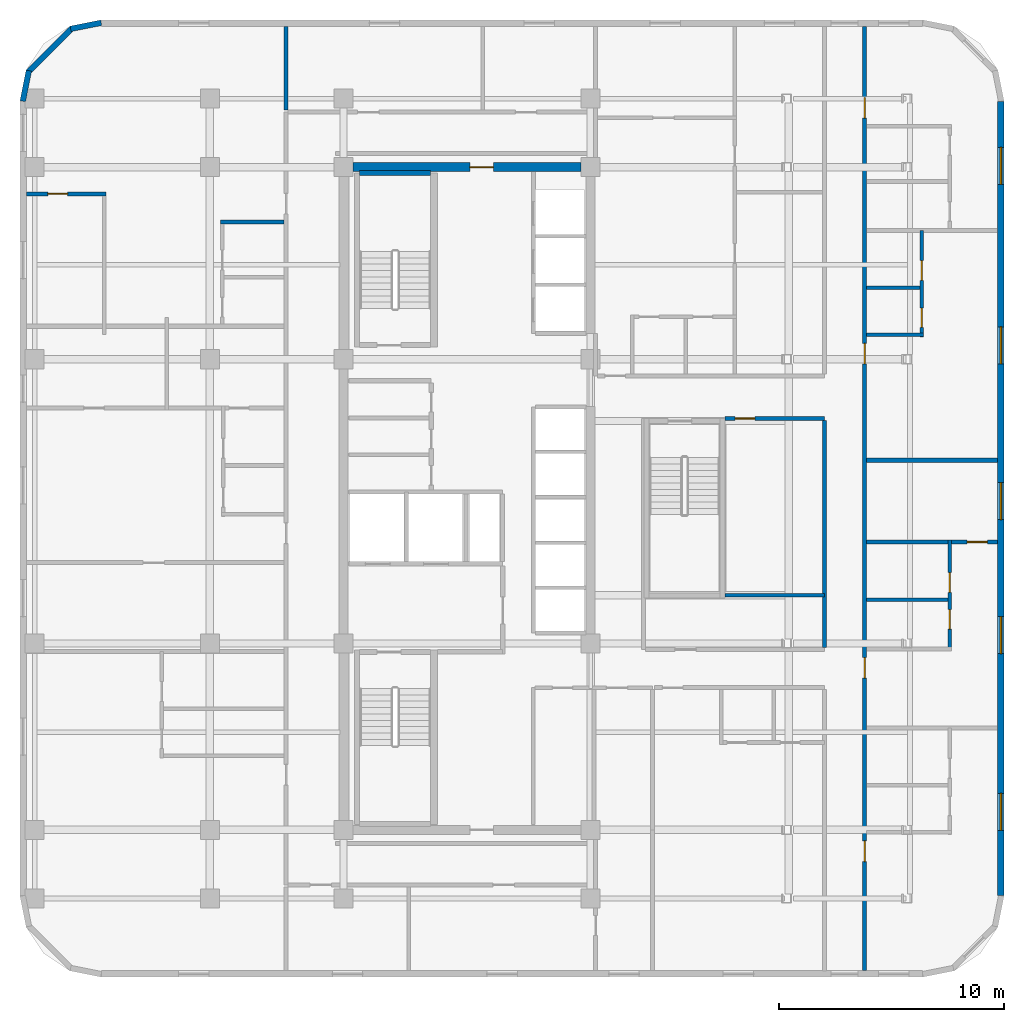
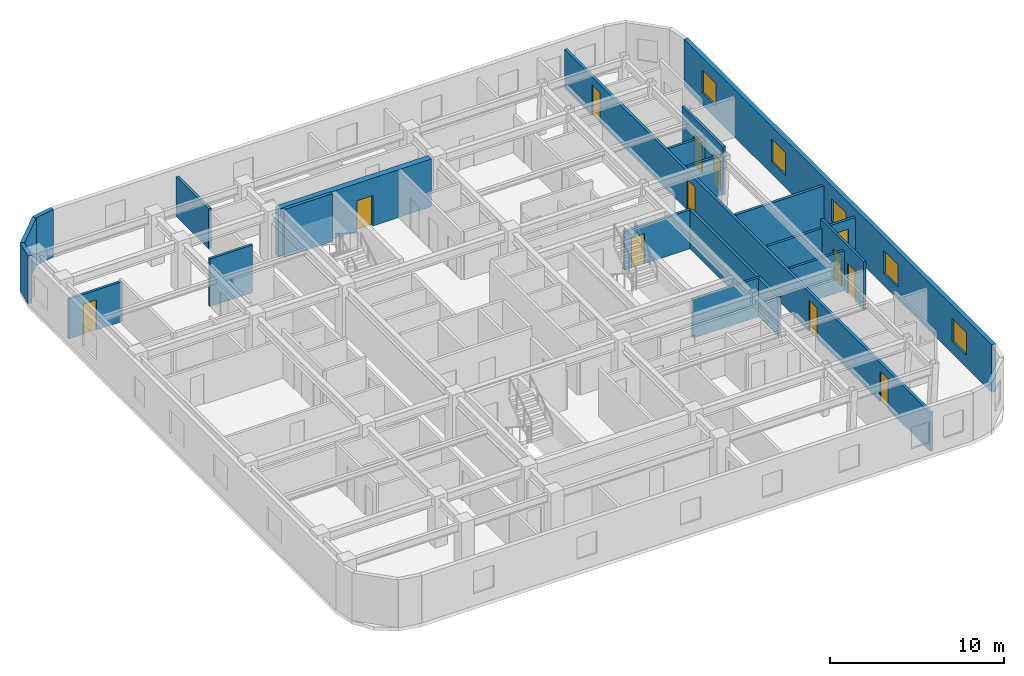
# One storey, part 6 of 9: 20 walls, 12 doors, 5 windows, 17 openings.
"""IFC4 building model written with IfcOpenShell, lengths in metres."""

from ifc_helpers import new_model, si_unit, direction, frame, frame_2d, origin, place, context, subcontext, project, spatial, rectangle, extrude, material, layer, layer_set, type_object, element, fill, save


model = new_model("IFC4")

# Units and contexts
model_context = context("Model", 3, precision=1e-05, world=origin(), true_north=direction((0.0, 1.0)))
body_context = subcontext(model_context, "Body", "Model", "MODEL_VIEW")
ifc_project = project(units=[si_unit("LENGTHUNIT", "METRE"), si_unit("AREAUNIT", "SQUARE_METRE"), si_unit("VOLUMEUNIT", "CUBIC_METRE"), si_unit("PLANEANGLEUNIT", "RADIAN"), si_unit("MASSUNIT", "GRAM", prefix="KILO")], contexts=[model_context])

# Site, building, storey
site_placement = place(None, origin())
site = spatial("IfcSite", under=ifc_project, at=site_placement, CompositionType="ELEMENT")
building_placement = place(site_placement, origin())
building = spatial("IfcBuilding", under=site, at=building_placement, Name="Ochreholt Gables", CompositionType="ELEMENT")
storey_placement = place(building_placement, frame((0.0, 0.0, 113.39990234375)))
storey = spatial("IfcBuildingStorey", under=building, at=storey_placement, Name="L29", CompositionType="ELEMENT", Elevation=113.39990234375)

# Wall, opening, door
ifc_material_1 = material(Name="Concrete 60 MPa", Category="concrete")
ifc_layer_1 = layer(ifc_material_1, 0.39990234375, Name="Concrete 60 MPa")
ifc_layer_set_1 = layer_set([ifc_layer_1], Name="Concrete 60 MPa")
wall_type_1 = type_object("IfcWallType", Name="WALL-CSW-400", PredefinedType="SHEAR", material=ifc_layer_set_1)
wall_1_placement = place(storey_placement, frame((24.625, 38.75, 0.0), z_axis=(0.0, 0.0, 1.0), x_axis=(1.0, 0.0, 0.0)))
wall_1 = element("IfcWall", 1, at=wall_1_placement, inside=storey, type_object=wall_type_1, Name="L29 Core North Shear Wall", PredefinedType="SHEAR", context=body_context, shape_type="SweptSolid", body=[
    extrude(rectangle(XDim=10.14990234375, YDim=0.39990234375, at=frame_2d((5.074951171875, 0.0))), origin(), (0.0, 0.0, 1.0), 3.35009765625),
])
opening_1_placement = place(wall_1_placement, frame((5.199951171875, 0.0, 0.0)))
opening_1 = element("IfcOpeningElement", 2, at=opening_1_placement, cuts=wall_1, Name="Opening D-FLB", PredefinedType="OPENING", context=body_context, shape_type="SweptSolid", body=[
    extrude(rectangle(XDim=1.050048828125, YDim=2.14990234375, at=frame_2d((0.52490234375, 1.074951171875))), frame((0.0, 0.2099609375, 0.0), z_axis=(0.0, -1.0, 0.0), x_axis=(1.0, 0.0, 0.0)), (0.0, 0.0, 1.0), 0.419921875),
])
ifc_material_2 = material(Name="Hollow Metal Steel", Category="steel")
door_type_1 = type_object("IfcDoorType", Name="DR-INT-FLB1050", OperationType="NOTDEFINED", PredefinedType="DOOR", material=ifc_material_2)
door_1_placement = place(opening_1_placement, frame((1.050048828125, 0.0, 0.0), z_axis=(0.0, 0.0, 1.0), x_axis=(-1.0, 0.0, 0.0)))
door_1 = element("IfcDoor", 3, at=door_1_placement, inside=storey, type_object=door_type_1, Name="L29 Door D-C2CRN-L29", OperationType="SINGLE_SWING_RIGHT", OverallHeight=2.14990234375, OverallWidth=1.050048828125, PredefinedType="DOOR", context=body_context, shape_type="SweptSolid", body=[
    extrude(rectangle(XDim=1.050048828125, YDim=2.14990234375, at=frame_2d((0.52490234375, 1.074951171875))), frame((0.0, 0.02490234375, 0.0), z_axis=(0.0, -1.0, 0.0), x_axis=(1.0, 0.0, 0.0)), (0.0, 0.0, 1.0), 0.050048828125),
])
fill(opening_1, door_1)

# Wall, openings, windows
ifc_material_3 = material(Name="Precast concrete 40 MPa", Category="concrete")
ifc_layer_2 = layer(ifc_material_3, 0.280029296875, Name="Precast concrete 40 MPa")
ifc_layer_set_2 = layer_set([ifc_layer_2], Name="Precast concrete 40 MPa")
wall_type_2 = type_object("IfcWallType", Name="WALL-EXT-280", PredefinedType="SOLIDWALL", material=ifc_layer_set_2)
wall_2_placement = place(storey_placement, frame((53.4599609375, 6.320068359375, 0.0), z_axis=(0.0, 0.0, 1.0), x_axis=(0.0, 1.0, 0.0)))
wall_2 = element("IfcWall", 4, at=wall_2_placement, inside=storey, type_object=wall_type_2, Name="L29 East Exterior Wall", PredefinedType="SOLIDWALL", context=body_context, shape_type="SweptSolid", body=[
    extrude(rectangle(XDim=35.35986328125, YDim=0.280029296875, at=frame_2d((17.679931640625, 0.0))), origin(), (0.0, 0.0, 1.0), 3.35009765625),
])
opening_2_placement = place(wall_2_placement, frame((2.903076171875, 0.0, 0.85009765625)))
opening_2 = element("IfcOpeningElement", 5, at=opening_2_placement, cuts=wall_2, Name="Opening WN-7", PredefinedType="OPENING", context=body_context, shape_type="SweptSolid", body=[
    extrude(rectangle(XDim=1.64990234375, YDim=1.60009765625, at=frame_2d((0.824951171875, 0.800048828125))), frame((0.0, 0.14990234375, 0.0), z_axis=(0.0, -1.0, 0.0), x_axis=(1.0, 0.0, 0.0)), (0.0, 0.0, 1.0), 0.300048828125),
])
opening_3_placement = place(wall_2_placement, frame((10.77490234375, 0.0, 0.85009765625)))
opening_3 = element("IfcOpeningElement", 6, at=opening_3_placement, cuts=wall_2, Name="Opening WN-7", PredefinedType="OPENING", context=body_context, shape_type="SweptSolid", body=[
    extrude(rectangle(XDim=1.64990234375, YDim=1.60009765625, at=frame_2d((0.824951171875, 0.800048828125))), frame((0.0, 0.14990234375, 0.0), z_axis=(0.0, -1.0, 0.0), x_axis=(1.0, 0.0, 0.0)), (0.0, 0.0, 1.0), 0.300048828125),
])
opening_4_placement = place(wall_2_placement, frame((16.739013671875, 0.0, 0.85009765625)))
opening_4 = element("IfcOpeningElement", 7, at=opening_4_placement, cuts=wall_2, Name="Opening WN-7", PredefinedType="OPENING", context=body_context, shape_type="SweptSolid", body=[
    extrude(rectangle(XDim=1.64990234375, YDim=1.60009765625, at=frame_2d((0.824951171875, 0.800048828125))), frame((0.0, 0.14990234375, 0.0), z_axis=(0.0, -1.0, 0.0), x_axis=(1.0, 0.0, 0.0)), (0.0, 0.0, 1.0), 0.300048828125),
])
opening_5_placement = place(wall_2_placement, frame((23.6708984375, 0.0, 0.85009765625)))
opening_5 = element("IfcOpeningElement", 8, at=opening_5_placement, cuts=wall_2, Name="Opening WN-7", PredefinedType="OPENING", context=body_context, shape_type="SweptSolid", body=[
    extrude(rectangle(XDim=1.64990234375, YDim=1.60009765625, at=frame_2d((0.824951171875, 0.800048828125))), frame((0.0, 0.14990234375, 0.0), z_axis=(0.0, -1.0, 0.0), x_axis=(1.0, 0.0, 0.0)), (0.0, 0.0, 1.0), 0.300048828125),
])
opening_6_placement = place(wall_2_placement, frame((31.658935546875, 0.0, 0.85009765625)))
opening_6 = element("IfcOpeningElement", 9, at=opening_6_placement, cuts=wall_2, Name="Opening WN-7", PredefinedType="OPENING", context=body_context, shape_type="SweptSolid", body=[
    extrude(rectangle(XDim=1.64990234375, YDim=1.60009765625, at=frame_2d((0.824951171875, 0.800048828125))), frame((0.0, 0.14990234375, 0.0), z_axis=(0.0, -1.0, 0.0), x_axis=(1.0, 0.0, 0.0)), (0.0, 0.0, 1.0), 0.300048828125),
])
ifc_material_4 = material(Name="Triple-Glazed Thermally Broken Aluminium Window", Category="aluminium")
window_type = type_object("IfcWindowType", Name="WIN-RES-1650", PartitioningType="SINGLE_PANEL", PredefinedType="WINDOW", material=ifc_material_4)
window_1_placement = place(opening_2_placement, origin())
window_1 = element("IfcWindow", 10, at=window_1_placement, inside=storey, type_object=window_type, Name="L29 Window W-EXT-E-L29-1", OverallHeight=1.60009765625, OverallWidth=1.64990234375, PartitioningType="SINGLE_PANEL", PredefinedType="WINDOW", context=body_context, shape_type="SweptSolid", body=[
    extrude(rectangle(XDim=1.64990234375, YDim=1.60009765625, at=frame_2d((0.824951171875, 0.800048828125))), frame((0.0, 0.030029296875, 0.0), z_axis=(0.0, -1.0, 0.0), x_axis=(1.0, 0.0, 0.0)), (0.0, 0.0, 1.0), 0.06005859375),
])
fill(opening_2, window_1)
window_2_placement = place(opening_3_placement, origin())
window_2 = element("IfcWindow", 11, at=window_2_placement, inside=storey, type_object=window_type, Name="L29 Window W-EXT-E-L29-2", OverallHeight=1.60009765625, OverallWidth=1.64990234375, PartitioningType="SINGLE_PANEL", PredefinedType="WINDOW", context=body_context, shape_type="SweptSolid", body=[
    extrude(rectangle(XDim=1.64990234375, YDim=1.60009765625, at=frame_2d((0.824951171875, 0.800048828125))), frame((0.0, 0.030029296875, 0.0), z_axis=(0.0, -1.0, 0.0), x_axis=(1.0, 0.0, 0.0)), (0.0, 0.0, 1.0), 0.06005859375),
])
fill(opening_3, window_2)
window_3_placement = place(opening_4_placement, origin())
window_3 = element("IfcWindow", 12, at=window_3_placement, inside=storey, type_object=window_type, Name="L29 Window W-EXT-E-L29-3", OverallHeight=1.60009765625, OverallWidth=1.64990234375, PartitioningType="SINGLE_PANEL", PredefinedType="WINDOW", context=body_context, shape_type="SweptSolid", body=[
    extrude(rectangle(XDim=1.64990234375, YDim=1.60009765625, at=frame_2d((0.824951171875, 0.800048828125))), frame((0.0, 0.030029296875, 0.0), z_axis=(0.0, -1.0, 0.0), x_axis=(1.0, 0.0, 0.0)), (0.0, 0.0, 1.0), 0.06005859375),
])
fill(opening_4, window_3)
window_4_placement = place(opening_5_placement, origin())
window_4 = element("IfcWindow", 13, at=window_4_placement, inside=storey, type_object=window_type, Name="L29 Window W-EXT-E-L29-4", OverallHeight=1.60009765625, OverallWidth=1.64990234375, PartitioningType="SINGLE_PANEL", PredefinedType="WINDOW", context=body_context, shape_type="SweptSolid", body=[
    extrude(rectangle(XDim=1.64990234375, YDim=1.60009765625, at=frame_2d((0.824951171875, 0.800048828125))), frame((0.0, 0.030029296875, 0.0), z_axis=(0.0, -1.0, 0.0), x_axis=(1.0, 0.0, 0.0)), (0.0, 0.0, 1.0), 0.06005859375),
])
fill(opening_5, window_4)
window_5_placement = place(opening_6_placement, origin())
window_5 = element("IfcWindow", 14, at=window_5_placement, inside=storey, type_object=window_type, Name="L29 Window W-EXT-E-L29-5", OverallHeight=1.60009765625, OverallWidth=1.64990234375, PartitioningType="SINGLE_PANEL", PredefinedType="WINDOW", context=body_context, shape_type="SweptSolid", body=[
    extrude(rectangle(XDim=1.64990234375, YDim=1.60009765625, at=frame_2d((0.824951171875, 0.800048828125))), frame((0.0, 0.030029296875, 0.0), z_axis=(0.0, -1.0, 0.0), x_axis=(1.0, 0.0, 0.0)), (0.0, 0.0, 1.0), 0.06005859375),
])
fill(opening_6, window_5)

# Walls
ifc_layer_3 = layer(ifc_material_3, 0.25, Name="Precast concrete 40 MPa")
ifc_layer_set_3 = layer_set([ifc_layer_3], Name="Precast concrete 40 MPa")
wall_type_3 = type_object("IfcWallType", Name="WALL-EXT-CNR", PredefinedType="SOLIDWALL", material=ifc_layer_set_3)
wall_3_placement = place(storey_placement, frame((13.41650390625, 45.17578125, 0.0), z_axis=(0.0, 0.0, 1.0), x_axis=(-0.980809899341, -0.19496651342, 0.0)))
element("IfcWall", 15, at=wall_3_placement, inside=storey, type_object=wall_type_3, Name="L29 Rounded Corner Wall NW-1", PredefinedType="SOLIDWALL", context=body_context, shape_type="SweptSolid", body=[
    extrude(rectangle(XDim=1.388671875, YDim=0.25, at=frame_2d((0.6943359375, 0.0))), origin(), (0.0, 0.0, 1.0), 3.35009765625),
])
wall_4_placement = place(storey_placement, frame((12.10498046875, 44.931884765625, 0.0), z_axis=(0.0, 0.0, 1.0), x_axis=(-0.707151344399, -0.707062215165, 0.0)))
element("IfcWall", 16, at=wall_4_placement, inside=storey, type_object=wall_type_3, Name="L29 Rounded Corner Wall NW-2", PredefinedType="SOLIDWALL", context=body_context, shape_type="SweptSolid", body=[
    extrude(rectangle(XDim=2.7392578125, YDim=0.25, at=frame_2d((1.36962890625, 0.0))), origin(), (0.0, 0.0, 1.0), 3.35009765625),
])
wall_5_placement = place(storey_placement, frame((10.195068359375, 43.04541015625, 0.0), z_axis=(0.0, 0.0, 1.0), x_axis=(-0.195000137217, -0.980803214965, 0.0)))
element("IfcWall", 17, at=wall_5_placement, inside=storey, type_object=wall_type_3, Name="L29 Rounded Corner Wall NW-3", PredefinedType="SOLIDWALL", context=body_context, shape_type="SweptSolid", body=[
    extrude(rectangle(XDim=1.388427734375, YDim=0.25, at=frame_2d((0.6943359375, 0.0))), origin(), (0.0, 0.0, 1.0), 3.35009765625),
])

# Wall, opening, door
ifc_material_5 = material(Name="Fire-Rated Gypsum Acoustic Partition", Category="gypsum")
ifc_layer_4 = layer(ifc_material_5, 0.179931640625, Name="Fire-Rated Gypsum Acoustic Partition")
ifc_layer_set_4 = layer_set([ifc_layer_4], Name="Fire-Rated Gypsum Acoustic Partition")
wall_type_4 = type_object("IfcWallType", Name="WALL-INT-CR180", PredefinedType="STANDARD", material=ifc_layer_set_4)
wall_6_placement = place(storey_placement, frame((41.179931640625, 27.56005859375, 0.0), z_axis=(0.0, 0.0, 1.0), x_axis=(1.0, 0.0, 0.0)))
wall_6 = element("IfcWall", 18, at=wall_6_placement, inside=storey, type_object=wall_type_4, Name="L29 Interior Wall WI-C2SN1-L29", PredefinedType="STANDARD", context=body_context, shape_type="SweptSolid", body=[
    extrude(rectangle(XDim=4.420166015625, YDim=0.179931640625, at=frame_2d((2.2099609375, 0.0))), origin(), (0.0, 0.0, 1.0), 2.72119140625),
])
opening_7_placement = place(wall_6_placement, frame((0.449951171875, 0.0, 0.0)))
opening_7 = element("IfcOpeningElement", 19, at=opening_7_placement, cuts=wall_6, Name="Opening D-GN2", PredefinedType="OPENING", context=body_context, shape_type="SweptSolid", body=[
    extrude(rectangle(XDim=0.8798828125, YDim=2.1201171875, at=frame_2d((0.43994140625, 1.06005859375))), frame((0.0, 0.099853515625, 0.0), z_axis=(0.0, -1.0, 0.0), x_axis=(1.0, 0.0, 0.0)), (0.0, 0.0, 1.0), 0.199951171875),
])
ifc_material_6 = material(Name="Engineered Oak Timber", Category="wood")
door_type_2 = type_object("IfcDoorType", Name="DR-INT-GEN880", OperationType="NOTDEFINED", PredefinedType="DOOR", material=ifc_material_6)
door_2_placement = place(opening_7_placement, origin())
door_2 = element("IfcDoor", 20, at=door_2_placement, inside=storey, type_object=door_type_2, Name="L29 Door D-C2FME-L29", OperationType="SINGLE_SWING_LEFT", OverallHeight=2.1201171875, OverallWidth=0.8798828125, PredefinedType="DOOR", context=body_context, shape_type="SweptSolid", body=[
    extrude(rectangle(XDim=0.8798828125, YDim=2.1201171875, at=frame_2d((0.43994140625, 1.06005859375))), frame((0.0, 0.02490234375, 0.0), z_axis=(0.0, -1.0, 0.0), x_axis=(1.0, 0.0, 0.0)), (0.0, 0.0, 1.0), 0.050048828125),
])
fill(opening_7, door_2)

# Wall, openings, doors
wall_7_placement = place(storey_placement, frame((47.39990234375, 2.97998046875, 0.0), z_axis=(0.0, 0.0, 1.0), x_axis=(0.0, 1.0, 0.0)))
wall_7 = element("IfcWall", 21, at=wall_7_placement, inside=storey, type_object=wall_type_4, Name="L29 Interior Wall WI-C2FEG-L29", PredefinedType="STANDARD", context=body_context, shape_type="SweptSolid", body=[
    extrude(rectangle(XDim=42.0400390625, YDim=0.179931640625, at=frame_2d((21.02001953125, 0.0))), origin(), (0.0, 0.0, 1.0), 2.72119140625),
])
opening_8_placement = place(wall_7_placement, frame((4.85595703125, 0.0, 0.0)))
opening_8 = element("IfcOpeningElement", 22, at=opening_8_placement, cuts=wall_7, Name="Opening D-UN1", PredefinedType="OPENING", context=body_context, shape_type="SweptSolid", body=[
    extrude(rectangle(XDim=0.919921875, YDim=2.14990234375, at=frame_2d((0.4599609375, 1.074951171875))), frame((0.0, 0.099853515625, 0.0), z_axis=(0.0, -1.0, 0.0), x_axis=(1.0, 0.0, 0.0)), (0.0, 0.0, 1.0), 0.199951171875),
])
opening_9_placement = place(wall_7_placement, frame((13.02001953125, 0.0, 0.0)))
opening_9 = element("IfcOpeningElement", 23, at=opening_9_placement, cuts=wall_7, Name="Opening D-UN1", PredefinedType="OPENING", context=body_context, shape_type="SweptSolid", body=[
    extrude(rectangle(XDim=0.919921875, YDim=2.14990234375, at=frame_2d((0.4599609375, 1.074951171875))), frame((0.0, 0.099853515625, 0.0), z_axis=(0.0, -1.0, 0.0), x_axis=(1.0, 0.0, 0.0)), (0.0, 0.0, 1.0), 0.199951171875),
])
opening_10_placement = place(wall_7_placement, frame((27.008056640625, 0.0, 0.0)))
opening_10 = element("IfcOpeningElement", 24, at=opening_10_placement, cuts=wall_7, Name="Opening D-UN1", PredefinedType="OPENING", context=body_context, shape_type="SweptSolid", body=[
    extrude(rectangle(XDim=0.919921875, YDim=2.14990234375, at=frame_2d((0.4599609375, 1.074951171875))), frame((0.0, 0.099853515625, 0.0), z_axis=(0.0, -1.0, 0.0), x_axis=(1.0, 0.0, 0.0)), (0.0, 0.0, 1.0), 0.199951171875),
])
opening_11_placement = place(wall_7_placement, frame((37.947998046875, 0.0, 0.0)))
opening_11 = element("IfcOpeningElement", 25, at=opening_11_placement, cuts=wall_7, Name="Opening D-UN1", PredefinedType="OPENING", context=body_context, shape_type="SweptSolid", body=[
    extrude(rectangle(XDim=0.919921875, YDim=2.14990234375, at=frame_2d((0.4599609375, 1.074951171875))), frame((0.0, 0.099853515625, 0.0), z_axis=(0.0, -1.0, 0.0), x_axis=(1.0, 0.0, 0.0)), (0.0, 0.0, 1.0), 0.199951171875),
])
door_type_3 = type_object("IfcDoorType", Name="DR-INT-UNT920", OperationType="NOTDEFINED", PredefinedType="DOOR", material=ifc_material_6)
door_3_placement = place(opening_8_placement, origin())
door_3 = element("IfcDoor", 26, at=door_3_placement, inside=storey, type_object=door_type_3, Name="L29 Door D-U-L29FE1-ENT", OperationType="SINGLE_SWING_RIGHT", OverallHeight=2.14990234375, OverallWidth=0.919921875, PredefinedType="DOOR", context=body_context, shape_type="SweptSolid", body=[
    extrude(rectangle(XDim=0.919921875, YDim=2.14990234375, at=frame_2d((0.4599609375, 1.074951171875))), frame((0.0, 0.02490234375, 0.0), z_axis=(0.0, -1.0, 0.0), x_axis=(1.0, 0.0, 0.0)), (0.0, 0.0, 1.0), 0.050048828125),
])
fill(opening_8, door_3)
door_4_placement = place(opening_9_placement, origin())
door_4 = element("IfcDoor", 27, at=door_4_placement, inside=storey, type_object=door_type_3, Name="L29 Door D-U-L29FE2-ENT", OperationType="SINGLE_SWING_LEFT", OverallHeight=2.14990234375, OverallWidth=0.919921875, PredefinedType="DOOR", context=body_context, shape_type="SweptSolid", body=[
    extrude(rectangle(XDim=0.919921875, YDim=2.14990234375, at=frame_2d((0.4599609375, 1.074951171875))), frame((0.0, 0.02490234375, 0.0), z_axis=(0.0, -1.0, 0.0), x_axis=(1.0, 0.0, 0.0)), (0.0, 0.0, 1.0), 0.050048828125),
])
fill(opening_9, door_4)
door_5_placement = place(opening_10_placement, origin())
door_5 = element("IfcDoor", 28, at=door_5_placement, inside=storey, type_object=door_type_3, Name="L29 Door D-U-L29FE3-ENT", OperationType="SINGLE_SWING_RIGHT", OverallHeight=2.14990234375, OverallWidth=0.919921875, PredefinedType="DOOR", context=body_context, shape_type="SweptSolid", body=[
    extrude(rectangle(XDim=0.919921875, YDim=2.14990234375, at=frame_2d((0.4599609375, 1.074951171875))), frame((0.0, 0.02490234375, 0.0), z_axis=(0.0, -1.0, 0.0), x_axis=(1.0, 0.0, 0.0)), (0.0, 0.0, 1.0), 0.050048828125),
])
fill(opening_10, door_5)
door_6_placement = place(opening_11_placement, origin())
door_6 = element("IfcDoor", 29, at=door_6_placement, inside=storey, type_object=door_type_3, Name="L29 Door D-U-L29FE4-ENT", OperationType="SINGLE_SWING_LEFT", OverallHeight=2.14990234375, OverallWidth=0.919921875, PredefinedType="DOOR", context=body_context, shape_type="SweptSolid", body=[
    extrude(rectangle(XDim=0.919921875, YDim=2.14990234375, at=frame_2d((0.4599609375, 1.074951171875))), frame((0.0, 0.02490234375, 0.0), z_axis=(0.0, -1.0, 0.0), x_axis=(1.0, 0.0, 0.0)), (0.0, 0.0, 1.0), 0.050048828125),
])
fill(opening_11, door_6)

# Walls
wall_8_placement = place(storey_placement, frame((45.60009765625, 17.3701171875, 0.0), z_axis=(0.0, 0.0, 1.0), x_axis=(0.0, 1.0, 0.0)))
element("IfcWall", 30, at=wall_8_placement, inside=storey, type_object=wall_type_4, Name="L29 Interior Wall WI-C2FEGW2-L29", PredefinedType="STANDARD", context=body_context, shape_type="SweptSolid", body=[
    extrude(rectangle(XDim=10.099853515625, YDim=0.179931640625, at=frame_2d((5.0498046875, 0.0))), origin(), (0.0, 0.0, 1.0), 2.72119140625),
])
ifc_material_7 = material(Name="Double-Stud Acoustic Demising Wall", Category="gypsum")
ifc_layer_5 = layer(ifc_material_7, 0.179931640625, Name="Double-Stud Acoustic Demising Wall")
ifc_layer_set_5 = layer_set([ifc_layer_5], Name="Double-Stud Acoustic Demising Wall")
wall_type_5 = type_object("IfcWallType", Name="WALL-INT-DM180", PredefinedType="PARTITIONING", material=ifc_layer_set_5)
wall_9_placement = place(storey_placement, frame((21.64990234375, 41.2900390625, 0.0), z_axis=(0.0, 0.0, 1.0), x_axis=(0.0, 1.0, 0.0)))
element("IfcWall", 31, at=wall_9_placement, inside=storey, type_object=wall_type_5, Name="L29 Interior Wall WI-C2WWN-L29", PredefinedType="PARTITIONING", context=body_context, shape_type="SweptSolid", body=[
    extrude(rectangle(XDim=3.72998046875, YDim=0.179931640625, at=frame_2d((1.864990234375, 0.0))), origin(), (0.0, 0.0, 1.0), 2.799072265625),
])
wall_10_placement = place(storey_placement, frame((47.489990234375, 25.7041015625, 0.0), z_axis=(0.0, 0.0, 1.0), x_axis=(1.0, 0.0, 0.0)))
element("IfcWall", 32, at=wall_10_placement, inside=storey, type_object=wall_type_5, Name="L29 Interior Wall WI-C2FED3-L29", PredefinedType="PARTITIONING", context=body_context, shape_type="SweptSolid", body=[
    extrude(rectangle(XDim=5.830078125, YDim=0.179931640625, at=frame_2d((2.9150390625, 0.0))), origin(), (0.0, 0.0, 1.0), 2.799072265625),
])

# Wall, openings, doors
ifc_material_8 = material(Name="Moisture-Resistant Plumbing Chase Wall", Category="gypsum")
ifc_layer_6 = layer(ifc_material_8, 0.159912109375, Name="Moisture-Resistant Plumbing Chase Wall")
ifc_layer_set_6 = layer_set([ifc_layer_6], Name="Moisture-Resistant Plumbing Chase Wall")
wall_type_6 = type_object("IfcWallType", Name="WALL-INT-PL160", PredefinedType="PLUMBINGWALL", material=ifc_layer_set_6)
wall_11_placement = place(storey_placement, frame((51.185302734375, 17.2099609375, 0.0), z_axis=(0.0, 0.0, 1.0), x_axis=(0.0, 1.0, 0.0)))
wall_11 = element("IfcWall", 33, at=wall_11_placement, inside=storey, type_object=wall_type_6, Name="L29 Interior Wall WU-L29FE2-WX", PredefinedType="PLUMBINGWALL", context=body_context, shape_type="SweptSolid", body=[
    extrude(rectangle(XDim=4.944091796875, YDim=0.159912109375, at=frame_2d((2.47216796875, 0.0))), origin(), (0.0, 0.0, 1.0), 3.35009765625),
])
opening_12_placement = place(wall_11_placement, frame((0.97998046875, 0.0, 0.0)))
opening_12 = element("IfcOpeningElement", 34, at=opening_12_placement, cuts=wall_11, Name="Opening D-BT1", PredefinedType="OPENING", context=body_context, shape_type="SweptSolid", body=[
    extrude(rectangle(XDim=0.860107421875, YDim=2.1201171875, at=frame_2d((0.43017578125, 1.06005859375))), frame((0.0, 0.08984375, 0.0), z_axis=(0.0, -1.0, 0.0), x_axis=(1.0, 0.0, 0.0)), (0.0, 0.0, 1.0), 0.179931640625),
])
opening_13_placement = place(wall_11_placement, frame((2.611328125, 0.0, 0.0)))
opening_13 = element("IfcOpeningElement", 35, at=opening_13_placement, cuts=wall_11, Name="Opening D-GN2", PredefinedType="OPENING", context=body_context, shape_type="SweptSolid", body=[
    extrude(rectangle(XDim=0.8798828125, YDim=2.1201171875, at=frame_2d((0.43994140625, 1.06005859375))), frame((0.0, 0.08984375, 0.0), z_axis=(0.0, -1.0, 0.0), x_axis=(1.0, 0.0, 0.0)), (0.0, 0.0, 1.0), 0.179931640625),
])
door_type_4 = type_object("IfcDoorType", Name="DR-INT-BTH860", OperationType="NOTDEFINED", PredefinedType="DOOR", material=ifc_material_6)
door_7_placement = place(opening_12_placement, origin())
door_7 = element("IfcDoor", 36, at=door_7_placement, inside=storey, type_object=door_type_4, Name="L29 Door D-U-L29FE2-BTH", OperationType="SINGLE_SWING_RIGHT", OverallHeight=2.1201171875, OverallWidth=0.860107421875, PredefinedType="DOOR", context=body_context, shape_type="SweptSolid", body=[
    extrude(rectangle(XDim=0.860107421875, YDim=2.1201171875, at=frame_2d((0.43017578125, 1.06005859375))), frame((0.0, 0.02490234375, 0.0), z_axis=(0.0, -1.0, 0.0), x_axis=(1.0, 0.0, 0.0)), (0.0, 0.0, 1.0), 0.050048828125),
])
fill(opening_12, door_7)
door_8_placement = place(opening_13_placement, origin())
door_8 = element("IfcDoor", 37, at=door_8_placement, inside=storey, type_object=door_type_2, Name="L29 Door D-U-L29FE2-KIT", OperationType="SINGLE_SWING_LEFT", OverallHeight=2.1201171875, OverallWidth=0.8798828125, PredefinedType="DOOR", context=body_context, shape_type="SweptSolid", body=[
    extrude(rectangle(XDim=0.8798828125, YDim=2.1201171875, at=frame_2d((0.43994140625, 1.06005859375))), frame((0.0, 0.02490234375, 0.0), z_axis=(0.0, -1.0, 0.0), x_axis=(1.0, 0.0, 0.0)), (0.0, 0.0, 1.0), 0.050048828125),
])
fill(opening_13, door_8)

# Walls
wall_12_placement = place(storey_placement, frame((47.489990234375, 19.491455078125, 0.0), z_axis=(0.0, 0.0, 1.0), x_axis=(1.0, 0.0, 0.0)))
element("IfcWall", 38, at=wall_12_placement, inside=storey, type_object=wall_type_6, Name="L29 Interior Wall WU-L29FE2-WK", PredefinedType="PLUMBINGWALL", context=body_context, shape_type="SweptSolid", body=[
    extrude(rectangle(XDim=3.615234375, YDim=0.159912109375, at=frame_2d((1.8076171875, 0.0))), origin(), (0.0, 0.0, 1.0), 2.799072265625),
])
wall_13_placement = place(storey_placement, frame((47.489990234375, 31.2880859375, 0.0), z_axis=(0.0, 0.0, 1.0), x_axis=(1.0, 0.0, 0.0)))
element("IfcWall", 39, at=wall_13_placement, inside=storey, type_object=wall_type_6, Name="L29 Interior Wall WU-L29FE3-WYS", PredefinedType="PLUMBINGWALL", context=body_context, shape_type="SweptSolid", body=[
    extrude(rectangle(XDim=2.530029296875, YDim=0.159912109375, at=frame_2d((1.26513671875, 0.0))), origin(), (0.0, 0.0, 1.0), 2.799072265625),
])

# Wall, openings, doors
wall_14_placement = place(storey_placement, frame((49.93994140625, 31.197998046875, 0.0), z_axis=(0.0, 0.0, 1.0), x_axis=(0.0, 1.0, 0.0)))
wall_14 = element("IfcWall", 40, at=wall_14_placement, inside=storey, type_object=wall_type_6, Name="L29 Interior Wall WU-L29FE3-WX", PredefinedType="PLUMBINGWALL", context=body_context, shape_type="SweptSolid", body=[
    extrude(rectangle(XDim=4.72998046875, YDim=0.159912109375, at=frame_2d((2.364990234375, 0.0))), origin(), (0.0, 0.0, 1.0), 3.35009765625),
])
opening_14_placement = place(wall_14_placement, frame((0.419921875, 0.0, 0.0)))
opening_14 = element("IfcOpeningElement", 41, at=opening_14_placement, cuts=wall_14, Name="Opening D-BT1", PredefinedType="OPENING", context=body_context, shape_type="SweptSolid", body=[
    extrude(rectangle(XDim=0.860107421875, YDim=2.1201171875, at=frame_2d((0.43017578125, 1.06005859375))), frame((0.0, 0.08984375, 0.0), z_axis=(0.0, -1.0, 0.0), x_axis=(1.0, 0.0, 0.0)), (0.0, 0.0, 1.0), 0.179931640625),
])
opening_15_placement = place(wall_14_placement, frame((2.512939453125, 0.0, 0.0)))
opening_15 = element("IfcOpeningElement", 42, at=opening_15_placement, cuts=wall_14, Name="Opening D-GN2", PredefinedType="OPENING", context=body_context, shape_type="SweptSolid", body=[
    extrude(rectangle(XDim=0.8798828125, YDim=2.1201171875, at=frame_2d((0.43994140625, 1.06005859375))), frame((0.0, 0.08984375, 0.0), z_axis=(0.0, -1.0, 0.0), x_axis=(1.0, 0.0, 0.0)), (0.0, 0.0, 1.0), 0.179931640625),
])
door_9_placement = place(opening_14_placement, origin())
door_9 = element("IfcDoor", 43, at=door_9_placement, inside=storey, type_object=door_type_4, Name="L29 Door D-U-L29FE3-BTH", OperationType="SINGLE_SWING_LEFT", OverallHeight=2.1201171875, OverallWidth=0.860107421875, PredefinedType="DOOR", context=body_context, shape_type="SweptSolid", body=[
    extrude(rectangle(XDim=0.860107421875, YDim=2.1201171875, at=frame_2d((0.43017578125, 1.06005859375))), frame((0.0, 0.02490234375, 0.0), z_axis=(0.0, -1.0, 0.0), x_axis=(1.0, 0.0, 0.0)), (0.0, 0.0, 1.0), 0.050048828125),
])
fill(opening_14, door_9)
door_10_placement = place(opening_15_placement, origin())
door_10 = element("IfcDoor", 44, at=door_10_placement, inside=storey, type_object=door_type_2, Name="L29 Door D-U-L29FE3-KIT", OperationType="SINGLE_SWING_RIGHT", OverallHeight=2.1201171875, OverallWidth=0.8798828125, PredefinedType="DOOR", context=body_context, shape_type="SweptSolid", body=[
    extrude(rectangle(XDim=0.8798828125, YDim=2.1201171875, at=frame_2d((0.43994140625, 1.06005859375))), frame((0.0, 0.02490234375, 0.0), z_axis=(0.0, -1.0, 0.0), x_axis=(1.0, 0.0, 0.0)), (0.0, 0.0, 1.0), 0.050048828125),
])
fill(opening_15, door_10)

# Walls
wall_15_placement = place(storey_placement, frame((47.489990234375, 33.381103515625, 0.0), z_axis=(0.0, 0.0, 1.0), x_axis=(1.0, 0.0, 0.0)))
element("IfcWall", 45, at=wall_15_placement, inside=storey, type_object=wall_type_6, Name="L29 Interior Wall WU-L29FE3-WM", PredefinedType="PLUMBINGWALL", context=body_context, shape_type="SweptSolid", body=[
    extrude(rectangle(XDim=2.3701171875, YDim=0.159912109375, at=frame_2d((1.18505859375, 0.0))), origin(), (0.0, 0.0, 1.0), 2.799072265625),
])
wall_16_placement = place(storey_placement, frame((18.72607421875, 36.30810546875, 0.0), z_axis=(0.0, 0.0, 1.0), x_axis=(1.0, 0.0, 0.0)))
element("IfcWall", 46, at=wall_16_placement, inside=storey, type_object=wall_type_6, Name="L29 Interior Wall WU-L29W3-WYN", PredefinedType="PLUMBINGWALL", context=body_context, shape_type="SweptSolid", body=[
    extrude(rectangle(XDim=2.833984375, YDim=0.159912109375, at=frame_2d((1.4169921875, 0.0))), origin(), (0.0, 0.0, 1.0), 3.35009765625),
])
ifc_material_9 = material(Name="Gypsum Acoustic Stud Partition", Category="gypsum")
ifc_layer_7 = layer(ifc_material_9, 0.1650390625, Name="Gypsum Acoustic Stud Partition")
ifc_layer_set_7 = layer_set([ifc_layer_7], Name="Gypsum Acoustic Stud Partition")
wall_type_7 = type_object("IfcWallType", Name="WALL-INT-PT165", PredefinedType="PARTITIONING", material=ifc_layer_set_7)
wall_17_placement = place(storey_placement, frame((41.179931640625, 19.68994140625, 0.0), z_axis=(0.0, 0.0, 1.0), x_axis=(1.0, 0.0, 0.0)))
element("IfcWall", 47, at=wall_17_placement, inside=storey, type_object=wall_type_7, Name="L29 Interior Wall WI-C2FSWB-L29", PredefinedType="PARTITIONING", context=body_context, shape_type="SweptSolid", body=[
    extrude(rectangle(XDim=4.420166015625, YDim=0.1650390625, at=frame_2d((2.2099609375, 0.0))), origin(), (0.0, 0.0, 1.0), 2.72119140625),
])

# Wall, opening, door
wall_18_placement = place(storey_placement, frame((47.489990234375, 22.06396484375, 0.0), z_axis=(0.0, 0.0, 1.0), x_axis=(1.0, 0.0, 0.0)))
wall_18 = element("IfcWall", 48, at=wall_18_placement, inside=storey, type_object=wall_type_7, Name="L29 Interior Wall WU-L29FE2-MN", PredefinedType="PARTITIONING", context=body_context, shape_type="SweptSolid", body=[
    extrude(rectangle(XDim=5.830078125, YDim=0.1650390625, at=frame_2d((2.9150390625, 0.0))), origin(), (0.0, 0.0, 1.0), 2.799072265625),
])
opening_16_placement = place(wall_18_placement, frame((4.467529296875, 0.0, 0.0)))
opening_16 = element("IfcOpeningElement", 49, at=opening_16_placement, cuts=wall_18, Name="Opening D-BD1", PredefinedType="OPENING", context=body_context, shape_type="SweptSolid", body=[
    extrude(rectangle(XDim=0.89990234375, YDim=2.139892578125, at=frame_2d((0.449951171875, 1.06982421875))), frame((0.0, 0.092529296875, 0.0), z_axis=(0.0, -1.0, 0.0), x_axis=(1.0, 0.0, 0.0)), (0.0, 0.0, 1.0), 0.18505859375),
])
door_type_5 = type_object("IfcDoorType", Name="DR-INT-BED900", OperationType="NOTDEFINED", PredefinedType="DOOR", material=ifc_material_6)
door_11_placement = place(opening_16_placement, origin())
door_11 = element("IfcDoor", 50, at=door_11_placement, inside=storey, type_object=door_type_5, Name="L29 Door D-U-L29FE2-BD1", OperationType="SINGLE_SWING_RIGHT", OverallHeight=2.139892578125, OverallWidth=0.89990234375, PredefinedType="DOOR", context=body_context, shape_type="SweptSolid", body=[
    extrude(rectangle(XDim=0.89990234375, YDim=2.139892578125, at=frame_2d((0.449951171875, 1.06982421875))), frame((0.0, 0.02490234375, 0.0), z_axis=(0.0, -1.0, 0.0), x_axis=(1.0, 0.0, 0.0)), (0.0, 0.0, 1.0), 0.050048828125),
])
fill(opening_16, door_11)

wall_19_placement = place(storey_placement, frame((10.080078125, 37.55810546875, 0.0), z_axis=(0.0, 0.0, 1.0), x_axis=(1.0, 0.0, 0.0)))
wall_19 = element("IfcWall", 51, at=wall_19_placement, inside=storey, type_object=wall_type_7, Name="L29 Interior Wall WU-L29W3-STN", PredefinedType="PARTITIONING", context=body_context, shape_type="SweptSolid", body=[
    extrude(rectangle(XDim=3.5498046875, YDim=0.1650390625, at=frame_2d((1.77490234375, 0.0))), origin(), (0.0, 0.0, 1.0), 2.799072265625),
])
opening_17_placement = place(wall_19_placement, frame((0.9599609375, 0.0, 0.0)))
opening_17 = element("IfcOpeningElement", 52, at=opening_17_placement, cuts=wall_19, Name="Opening D-GN2", PredefinedType="OPENING", context=body_context, shape_type="SweptSolid", body=[
    extrude(rectangle(XDim=0.8798828125, YDim=2.1201171875, at=frame_2d((0.43994140625, 1.06005859375))), frame((0.0, 0.092529296875, 0.0), z_axis=(0.0, -1.0, 0.0), x_axis=(1.0, 0.0, 0.0)), (0.0, 0.0, 1.0), 0.18505859375),
])
door_12_placement = place(opening_17_placement, origin())
door_12 = element("IfcDoor", 53, at=door_12_placement, inside=storey, type_object=door_type_2, Name="L29 Door D-U-L29W3-STD", OperationType="SINGLE_SWING_LEFT", OverallHeight=2.1201171875, OverallWidth=0.8798828125, PredefinedType="DOOR", context=body_context, shape_type="SweptSolid", body=[
    extrude(rectangle(XDim=0.8798828125, YDim=2.1201171875, at=frame_2d((0.43994140625, 1.06005859375))), frame((0.0, 0.02490234375, 0.0), z_axis=(0.0, -1.0, 0.0), x_axis=(1.0, 0.0, 0.0)), (0.0, 0.0, 1.0), 0.050048828125),
])
fill(opening_17, door_12)

# Wall
ifc_material_10 = material(Name="Concrete 50 MPa", Category="concrete")
ifc_layer_8 = layer(ifc_material_10, 0.219970703125, Name="Concrete 50 MPa")
ifc_layer_set_8 = layer_set([ifc_layer_8], Name="Concrete 50 MPa")
wall_type_8 = type_object("IfcWallType", Name="WALL-STW-220", PredefinedType="SHEAR", material=ifc_layer_set_8)
wall_20_placement = place(storey_placement, frame((24.919921875, 38.489990234375, 0.0), z_axis=(0.0, 0.0, 1.0), x_axis=(1.0, 0.0, 0.0)))
element("IfcWall", 54, at=wall_20_placement, inside=storey, type_object=wall_type_8, Name="L29 Exit Stair 2 North Wall", PredefinedType="SHEAR", context=body_context, shape_type="SweptSolid", body=[
    extrude(rectangle(XDim=3.16015625, YDim=0.219970703125, at=frame_2d((1.580078125, 0.0))), origin(), (0.0, 0.0, 1.0), 3.35009765625),
])

save(model, "model.ifc")
